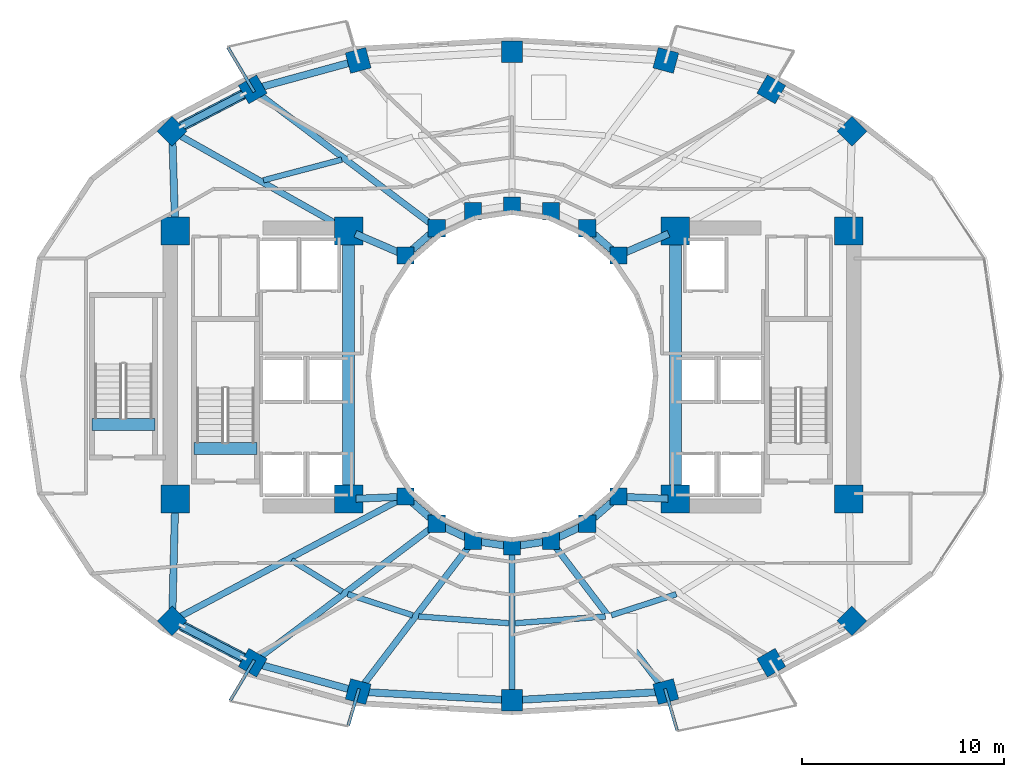
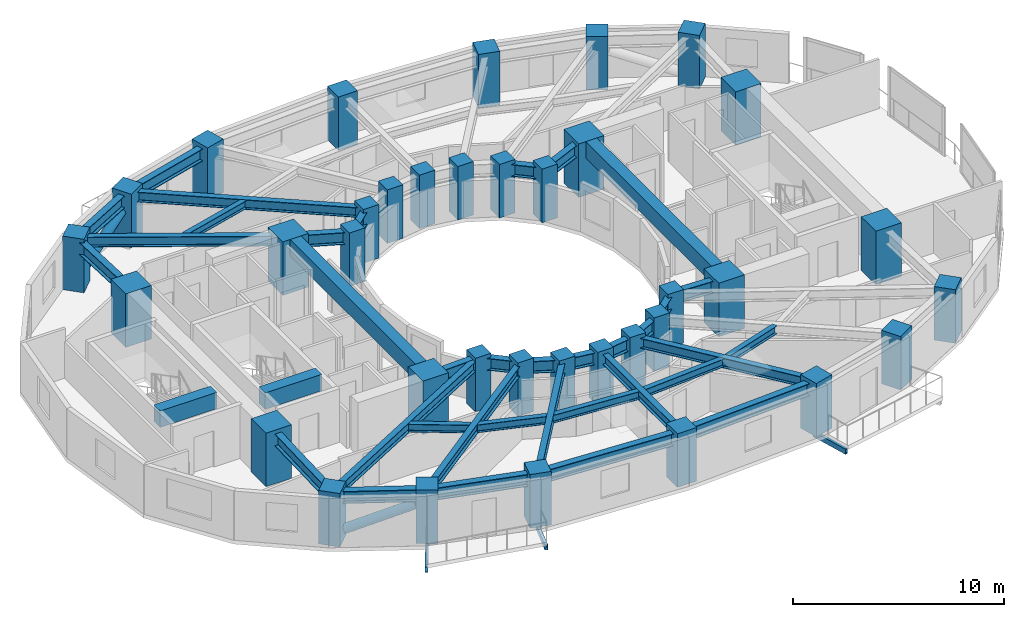
# One storey, part 1 of 14: 41 beams, 36 columns, 2 members.
"""IFC4 building model written with IfcOpenShell, lengths in metres."""

from ifc_helpers import new_model, si_unit, direction, frame, origin, origin_2d, place, context, subcontext, project, spatial, rectangle, hollow_rectangle, hollow_circle, i_section, extrude, material, material_profile, profile_set, type_object, element, save


model = new_model("IFC4")

# Units and contexts
model_context = context("Model", 3, precision=1e-05, world=origin(), true_north=direction((0.0, 1.0)))
body_context = subcontext(model_context, "Body", "Model", "MODEL_VIEW")
ifc_project = project(units=[si_unit("LENGTHUNIT", "METRE"), si_unit("AREAUNIT", "SQUARE_METRE"), si_unit("VOLUMEUNIT", "CUBIC_METRE"), si_unit("PLANEANGLEUNIT", "RADIAN"), si_unit("MASSUNIT", "GRAM", prefix="KILO")], contexts=[model_context])

# Site, building, storey
site_placement = place(None, origin())
site = spatial("IfcSite", under=ifc_project, at=site_placement, CompositionType="ELEMENT")
building_placement = place(site_placement, origin())
building = spatial("IfcBuilding", under=site, at=building_placement, Name="Solvane Sanctuary Tower", CompositionType="ELEMENT")
storey_placement = place(building_placement, frame((0.0, 0.0, 88.699951171875)))
storey = spatial("IfcBuildingStorey", under=building, at=storey_placement, Name="L26", CompositionType="ELEMENT", Elevation=88.699951171875)

# Columns
ifc_material_1 = material(Name="Concrete C70/85", Category="concrete")
ifc_material_profile_1 = material_profile(ifc_material_1, rectangle(XDim=1.39990234375, YDim=1.39990234375, at=origin_2d()), Name="RC1400X1400")
ifc_profile_set_1 = profile_set([ifc_material_profile_1], Name="Concrete C70/85")
column_type_1 = type_object("IfcColumnType", Name="Column C-POD-INT RC1400X1400", PredefinedType="COLUMN", material=ifc_profile_set_1)
for number, where, z_axis, x_axis, name in (
    (1, (15.300048828125, 16.89990234375, 0.0), (0.0, 0.0, 1.0), (1.0, 0.0, 0.0), "L26 Core Corner Column CW1"),
    (2, (23.89990234375, 16.89990234375, 0.0), (0.0, 0.0, 1.0), (1.0, 0.0, 0.0), "L26 Core Corner Column CW2"),
    (3, (23.89990234375, 30.199951171875, 0.0), (0.0, 0.0, 1.0), (1.0, 0.0, 0.0), "L26 Core Corner Column CW3"),
    (4, (15.300048828125, 30.199951171875, 0.0), (0.0, 0.0, 1.0), (1.0, 0.0, 0.0), "L26 Core Corner Column CW4"),
    (5, (40.10009765625, 16.89990234375, 0.0), (0.0, 0.0, 1.0), (1.0, 0.0, 0.0), "L26 Core Corner Column CE1"),
    (6, (48.699951171875, 16.89990234375, 0.0), (0.0, 0.0, 1.0), (1.0, 0.0, 0.0), "L26 Core Corner Column CE2"),
    (7, (48.699951171875, 30.199951171875, 0.0), (0.0, 0.0, 1.0), (1.0, 0.0, 0.0), "L26 Core Corner Column CE3"),
    (8, (40.10009765625, 30.199951171875, 0.0), (0.0, 0.0, 1.0), (1.0, 0.0, 0.0), "L26 Core Corner Column CE4"),
):
    element("IfcColumn", number, at=place(storey_placement, frame(where, z_axis=z_axis, x_axis=x_axis)), inside=storey, type_object=column_type_1, Name=name, PredefinedType="COLUMN", context=body_context, shape_type="SweptSolid", body=[
        extrude(rectangle(XDim=1.39990234375, YDim=1.39990234375, at=origin_2d()), origin(), (0.0, 0.0, 1.0), 3.10009765625),
    ])
ifc_material_2 = material(Name="Concrete C60/75", Category="concrete")
ifc_material_profile_2 = material_profile(ifc_material_2, rectangle(XDim=0.85009765625, YDim=0.85009765625, at=origin_2d()), Name="RC850X850")
ifc_profile_set_2 = profile_set([ifc_material_profile_2], Name="Concrete C60/75")
column_type_2 = type_object("IfcColumnType", Name="Column C-RING-Z2 RC850X850", PredefinedType="COLUMN", material=ifc_profile_set_2)
for number, where, z_axis, x_axis, name in (
    (9, (37.27490234375, 28.982177734375, 0.0), (0.0, 0.0, 1.0), (1.0, 0.0, 0.0), "L26 Inner Light-Well Ring Column IC01"),
    (10, (35.72998046875, 30.32666015625, 0.0), (0.0, 0.0, 1.0), (1.0, 0.0, 0.0), "L26 Inner Light-Well Ring Column IC02"),
    (11, (33.930908203125, 31.171630859375, 0.0), (0.0, 0.0, 1.0), (1.0, 0.0, 0.0), "L26 Inner Light-Well Ring Column IC03"),
    (12, (32.0, 31.4599609375, 0.0), (0.0, 0.0, 1.0), (1.0, 0.0, 0.0), "L26 Inner Light-Well Ring Column IC04"),
    (13, (30.069091796875, 31.171630859375, 0.0), (0.0, 0.0, 1.0), (1.0, 0.0, 0.0), "L26 Inner Light-Well Ring Column IC05"),
    (14, (28.27001953125, 30.32666015625, 0.0), (0.0, 0.0, 1.0), (1.0, 0.0, 0.0), "L26 Inner Light-Well Ring Column IC06"),
    (15, (26.72509765625, 28.982177734375, 0.0), (0.0, 0.0, 1.0), (1.0, 0.0, 0.0), "L26 Inner Light-Well Ring Column IC07"),
    (16, (26.72509765625, 17.017822265625, 0.0), (0.0, 0.0, 1.0), (1.0, 0.0, 0.0), "L26 Inner Light-Well Ring Column IC08"),
    (17, (28.27001953125, 15.67333984375, 0.0), (0.0, 0.0, 1.0), (1.0, 0.0, 0.0), "L26 Inner Light-Well Ring Column IC09"),
    (18, (30.069091796875, 14.828369140625, 0.0), (0.0, 0.0, 1.0), (1.0, 0.0, 0.0), "L26 Inner Light-Well Ring Column IC10"),
    (19, (32.0, 14.5400390625, 0.0), (0.0, 0.0, 1.0), (1.0, 0.0, 0.0), "L26 Inner Light-Well Ring Column IC11"),
    (20, (33.930908203125, 14.828369140625, 0.0), (0.0, 0.0, 1.0), (1.0, 0.0, 0.0), "L26 Inner Light-Well Ring Column IC12"),
    (21, (35.72998046875, 15.67333984375, 0.0), (0.0, 0.0, 1.0), (1.0, 0.0, 0.0), "L26 Inner Light-Well Ring Column IC13"),
    (22, (37.27490234375, 17.017822265625, 0.0), (0.0, 0.0, 1.0), (1.0, 0.0, 0.0), "L26 Inner Light-Well Ring Column IC14"),
):
    element("IfcColumn", number, at=place(storey_placement, frame(where, z_axis=z_axis, x_axis=x_axis)), inside=storey, type_object=column_type_2, Name=name, PredefinedType="COLUMN", context=body_context, shape_type="SweptSolid", body=[
        extrude(rectangle(XDim=0.85009765625, YDim=0.85009765625, at=origin_2d()), origin(), (0.0, 0.0, 1.0), 3.10009765625),
    ])
ifc_material_profile_3 = material_profile(ifc_material_2, rectangle(XDim=1.050048828125, YDim=1.050048828125, at=origin_2d()), Name="RC1050X1050")
ifc_profile_set_3 = profile_set([ifc_material_profile_3], Name="Concrete C60/75")
column_type_3 = type_object("IfcColumnType", Name="Column C-TUBE-Z2 RC1050X1050", PredefinedType="COLUMN", material=ifc_profile_set_3)
for number, where, z_axis, x_axis, name in (
    (23, (48.85302734375, 35.13818359375, 0.0), (0.0, 0.0, 1.0), (0.707106781187, 0.707106781187, 0.0), "L26 Perimeter Tube Column TC01"),
    (24, (44.8583984375, 37.217529296875, 0.0), (0.0, 0.0, 1.0), (0.5, 0.866025403784, 0.0), "L26 Perimeter Tube Column TC02"),
    (25, (39.62939453125, 38.652099609375, 0.0), (0.0, 0.0, 1.0), (0.258819045103, 0.965925826289, 0.0), "L26 Perimeter Tube Column TC03"),
    (26, (32.0, 39.080078125, 0.0), (0.0, 0.0, 1.0), (0.0, 1.0, 0.0), "L26 Perimeter Tube Column TC04"),
    (27, (24.37060546875, 38.652099609375, 0.0), (0.0, 0.0, 1.0), (-0.258819045103, 0.965925826289, 0.0), "L26 Perimeter Tube Column TC05"),
    (28, (19.1416015625, 37.217529296875, 0.0), (0.0, 0.0, 1.0), (-0.5, 0.866025403784, 0.0), "L26 Perimeter Tube Column TC06"),
    (29, (15.14697265625, 35.13818359375, 0.0), (0.0, 0.0, 1.0), (-0.707106781187, 0.707106781187, 0.0), "L26 Perimeter Tube Column TC07"),
    (30, (15.14697265625, 10.86181640625, 0.0), (0.0, 0.0, 1.0), (-0.707106781187, -0.707106781187, 0.0), "L26 Perimeter Tube Column TC08"),
    (31, (19.1416015625, 8.782470703125, 0.0), (0.0, 0.0, 1.0), (-0.5, -0.866025403784, 0.0), "L26 Perimeter Tube Column TC09"),
    (32, (24.37060546875, 7.347900390625, 0.0), (0.0, 0.0, 1.0), (-0.258819045103, -0.965925826289, 0.0), "L26 Perimeter Tube Column TC10"),
    (33, (32.0, 6.919921875, 0.0), (0.0, 0.0, 1.0), (0.0, -1.0, 0.0), "L26 Perimeter Tube Column TC11"),
    (34, (39.62939453125, 7.347900390625, 0.0), (0.0, 0.0, 1.0), (0.258819045103, -0.965925826289, 0.0), "L26 Perimeter Tube Column TC12"),
    (35, (44.8583984375, 8.782470703125, 0.0), (0.0, 0.0, 1.0), (0.5, -0.866025403784, 0.0), "L26 Perimeter Tube Column TC13"),
    (36, (48.85302734375, 10.86181640625, 0.0), (0.0, 0.0, 1.0), (0.707106781187, -0.707106781187, 0.0), "L26 Perimeter Tube Column TC14"),
):
    element("IfcColumn", number, at=place(storey_placement, frame(where, z_axis=z_axis, x_axis=x_axis)), inside=storey, type_object=column_type_3, Name=name, PredefinedType="COLUMN", context=body_context, shape_type="SweptSolid", body=[
        extrude(rectangle(XDim=1.050048828125, YDim=1.050048828125, at=origin_2d()), origin(), (0.0, 0.0, 1.0), 3.10009765625),
    ])

# Beams
ifc_material_3 = material(Name="Steel ASTM A500 Grade C", Category="steel")
ifc_material_profile_4 = material_profile(ifc_material_3, hollow_rectangle(XDim=0.14990234375, YDim=0.300048828125, WallThickness=0.010009765625, at=origin_2d()), Name="HSS300X150X10")
ifc_profile_set_4 = profile_set([ifc_material_profile_4], Name="Steel ASTM A500 Grade C")
beam_type_1 = type_object("IfcBeamType", Name="Beam B-BALC-BRK HSS300X150X10", PredefinedType="BEAM", material=ifc_profile_set_4)
beam_1_placement = place(storey_placement, frame((19.21826171875, 37.08837890625, -0.3720703125), z_axis=(-0.510206685966, 0.860051822622, 0.0), x_axis=(-0.860051822622, -0.510206685966, 0.0)))
element("IfcBeam", 37, at=beam_1_placement, inside=storey, type_object=beam_type_1, Name="L26 Balcony Bracket N2-2", PredefinedType="BEAM", context=body_context, shape_type="SweptSolid", body=[
    extrude(hollow_rectangle(XDim=0.14990234375, YDim=0.300048828125, WallThickness=0.010009765625, at=origin_2d()), origin(), (0.0, 0.0, 1.0), 2.5654296875),
])
beam_2_placement = place(storey_placement, frame((19.218505859375, 8.911376953125, -0.3720703125), z_axis=(-0.511310271228, -0.859396187179, 0.0), x_axis=(0.859396187179, -0.511310271228, 0.0)))
element("IfcBeam", 38, at=beam_2_placement, inside=storey, type_object=beam_type_1, Name="L26 Balcony Bracket S1-1", PredefinedType="BEAM", context=body_context, shape_type="SweptSolid", body=[
    extrude(hollow_rectangle(XDim=0.14990234375, YDim=0.300048828125, WallThickness=0.010009765625, at=origin_2d()), origin(), (0.0, 0.0, 1.0), 2.324462890625),
])
beam_3_placement = place(storey_placement, frame((24.412841796875, 7.49169921875, -0.3720703125), z_axis=(-0.281748382334, -0.959488326689, 0.0), x_axis=(0.959488326689, -0.281748382334, 0.0)))
element("IfcBeam", 39, at=beam_3_placement, inside=storey, type_object=beam_type_1, Name="L26 Balcony Bracket S1-2", PredefinedType="BEAM", context=body_context, shape_type="SweptSolid", body=[
    extrude(hollow_rectangle(XDim=0.14990234375, YDim=0.300048828125, WallThickness=0.010009765625, at=origin_2d()), origin(), (0.0, 0.0, 1.0), 1.897705078125),
])
beam_4_placement = place(storey_placement, frame((39.58740234375, 7.491943359375, -0.3720703125), z_axis=(0.279241508215, -0.960220901715, 0.0), x_axis=(0.960220901715, 0.279241508215, 0.0)))
element("IfcBeam", 40, at=beam_4_placement, inside=storey, type_object=beam_type_1, Name="L26 Balcony Bracket S2-1", PredefinedType="BEAM", context=body_context, shape_type="SweptSolid", body=[
    extrude(hollow_rectangle(XDim=0.14990234375, YDim=0.300048828125, WallThickness=0.010009765625, at=origin_2d()), origin(), (0.0, 0.0, 1.0), 2.138427734375),
])
ifc_material_profile_5 = material_profile(ifc_material_1, rectangle(XDim=0.60009765625, YDim=0.949951171875, at=origin_2d()), Name="RC600X950")
ifc_profile_set_5 = profile_set([ifc_material_profile_5], Name="Concrete C70/85")
beam_type_2 = type_object("IfcBeamType", Name="Beam B-COUPLE RC600X950", PredefinedType="LINTEL", material=ifc_profile_set_5)
for number, where, z_axis, x_axis, name in (
    (41, (23.89990234375, 17.35009765625, 2.625), (0.0, 1.0, 0.0), (-1.0, 0.0, 0.0), "L26 West Core Coupling Lintel"),
    (42, (40.10009765625, 17.35009765625, 2.625), (0.0, 1.0, 0.0), (-1.0, 0.0, 0.0), "L26 East Core Coupling Lintel"),
):
    element("IfcBeam", number, at=place(storey_placement, frame(where, z_axis=z_axis, x_axis=x_axis)), inside=storey, type_object=beam_type_2, Name=name, PredefinedType="LINTEL", context=body_context, shape_type="SweptSolid", body=[
        extrude(rectangle(XDim=0.60009765625, YDim=0.949951171875, at=origin_2d()), origin(), (0.0, 0.0, 1.0), 12.39990234375),
    ])
for number, where, z_axis, x_axis, name in (
    (43, (16.22998046875, 19.399169921875, 2.625), (1.0, 0.0, 0.0), (0.0, 1.0, 0.0), "L26 ST-1 Stair Floor Landing Trimmer"),
    (44, (11.169921875, 20.59912109375, 2.625), (1.0, 0.0, 0.0), (0.0, 1.0, 0.0), "L26 ST-3 Stair Floor Landing Trimmer"),
):
    element("IfcBeam", number, at=place(storey_placement, frame(where, z_axis=z_axis, x_axis=x_axis)), inside=storey, type_object=beam_type_2, Name=name, PredefinedType="LINTEL", context=body_context, shape_type="SweptSolid", body=[
        extrude(rectangle(XDim=0.60009765625, YDim=0.949951171875, at=origin_2d()), origin(), (0.0, 0.0, 1.0), 3.1201171875),
    ])
ifc_material_4 = material(Name="Steel ASTM A992 Grade 50", Category="steel")
ifc_material_profile_6 = material_profile(ifc_material_4, i_section(OverallWidth=0.31494140625, OverallDepth=0.575927734375, WebThickness=0.01513671875, FlangeThickness=0.0244140625, FilletRadius=0.014892578125, at=origin_2d()), Name="W21X122")
ifc_profile_set_6 = profile_set([ifc_material_profile_6], Name="Steel ASTM A992 Grade 50")
beam_type_3 = type_object("IfcBeamType", Name="Beam B-RAD-Z2 W21X122", PredefinedType="BEAM", material=ifc_profile_set_6)
beam_5_placement = place(storey_placement, frame((28.04638671875, 30.495361328125, 2.590087890625), z_axis=(-0.798116040134, 0.602503764703, 0.0), x_axis=(-0.602503764703, -0.798116040134, 0.0)))
element("IfcBeam", 45, at=beam_5_placement, inside=storey, type_object=beam_type_3, Name="L26 Radial Composite Floor Beam 06", PredefinedType="BEAM", context=body_context, shape_type="SweptSolid", body=[
    extrude(i_section(OverallWidth=0.31494140625, OverallDepth=0.575927734375, WebThickness=0.01513671875, FlangeThickness=0.0244140625, FilletRadius=0.014892578125, at=origin_2d()), origin(), (0.0, 0.0, 1.0), 10.876953125),
])
beam_6_placement = place(storey_placement, frame((23.58642578125, 30.376953125, 2.590087890625), z_axis=(-0.870960247151, 0.491353485673, 0.0), x_axis=(-0.491353485673, -0.870960247151, 0.0)))
element("IfcBeam", 46, at=beam_6_placement, inside=storey, type_object=beam_type_3, Name="L26 Radial Composite Floor Beam 07", PredefinedType="BEAM", context=body_context, shape_type="SweptSolid", body=[
    extrude(i_section(OverallWidth=0.31494140625, OverallDepth=0.575927734375, WebThickness=0.01513671875, FlangeThickness=0.0244140625, FilletRadius=0.014892578125, at=origin_2d()), origin(), (0.0, 0.0, 1.0), 9.409912109375),
])
beam_7_placement = place(storey_placement, frame((26.477783203125, 16.886474609375, 2.590087890625), z_axis=(-0.882951984843, -0.469463302572, 0.0), x_axis=(0.469463302572, -0.882951984843, 0.0)))
element("IfcBeam", 47, at=beam_7_placement, inside=storey, type_object=beam_type_3, Name="L26 Radial Composite Floor Beam 08", PredefinedType="BEAM", context=body_context, shape_type="SweptSolid", body=[
    extrude(i_section(OverallWidth=0.31494140625, OverallDepth=0.575927734375, WebThickness=0.01513671875, FlangeThickness=0.0244140625, FilletRadius=0.014892578125, at=origin_2d()), origin(), (0.0, 0.0, 1.0), 12.552734375),
])
beam_8_placement = place(storey_placement, frame((28.04638671875, 15.504638671875, 2.590087890625), z_axis=(-0.798116040134, -0.602503764703, 0.0), x_axis=(0.602503764703, -0.798116040134, 0.0)))
element("IfcBeam", 48, at=beam_8_placement, inside=storey, type_object=beam_type_3, Name="L26 Radial Composite Floor Beam 09", PredefinedType="BEAM", context=body_context, shape_type="SweptSolid", body=[
    extrude(i_section(OverallWidth=0.31494140625, OverallDepth=0.575927734375, WebThickness=0.01513671875, FlangeThickness=0.0244140625, FilletRadius=0.014892578125, at=origin_2d()), origin(), (0.0, 0.0, 1.0), 10.876953125),
])
beam_9_placement = place(storey_placement, frame((29.8994140625, 14.605712890625, 2.590087890625), z_axis=(-0.605972515369, -0.795485581653, 0.0), x_axis=(0.795485581653, -0.605972515369, 0.0)))
element("IfcBeam", 49, at=beam_9_placement, inside=storey, type_object=beam_type_3, Name="L26 Radial Composite Floor Beam 10", PredefinedType="BEAM", context=body_context, shape_type="SweptSolid", body=[
    extrude(i_section(OverallWidth=0.31494140625, OverallDepth=0.575927734375, WebThickness=0.01513671875, FlangeThickness=0.0244140625, FilletRadius=0.014892578125, at=origin_2d()), origin(), (0.0, 0.0, 1.0), 8.84375),
])
beam_10_placement = place(storey_placement, frame((32.0, 14.260009765625, 2.590087890625), z_axis=(0.0, -1.0, 0.0), x_axis=(1.0, 0.0, 0.0)))
element("IfcBeam", 50, at=beam_10_placement, inside=storey, type_object=beam_type_3, Name="L26 Radial Composite Floor Beam 11", PredefinedType="BEAM", context=body_context, shape_type="SweptSolid", body=[
    extrude(i_section(OverallWidth=0.31494140625, OverallDepth=0.575927734375, WebThickness=0.01513671875, FlangeThickness=0.0244140625, FilletRadius=0.014892578125, at=origin_2d()), origin(), (0.0, 0.0, 1.0), 7.06005859375),
])
beam_11_placement = place(storey_placement, frame((34.1005859375, 14.605712890625, 2.590087890625), z_axis=(0.605972515369, -0.795485581653, 0.0), x_axis=(0.795485581653, 0.605972515369, 0.0)))
element("IfcBeam", 51, at=beam_11_placement, inside=storey, type_object=beam_type_3, Name="L26 Radial Composite Floor Beam 12", PredefinedType="BEAM", context=body_context, shape_type="SweptSolid", body=[
    extrude(i_section(OverallWidth=0.31494140625, OverallDepth=0.575927734375, WebThickness=0.01513671875, FlangeThickness=0.0244140625, FilletRadius=0.014892578125, at=origin_2d()), origin(), (0.0, 0.0, 1.0), 8.84375),
])
ifc_material_profile_7 = material_profile(ifc_material_4, i_section(OverallWidth=0.35498046875, OverallDepth=0.695068359375, WebThickness=0.015380859375, FlangeThickness=0.02490234375, FilletRadius=0.01806640625, at=origin_2d()), Name="W27X146")
ifc_profile_set_7 = profile_set([ifc_material_profile_7], Name="Steel ASTM A992 Grade 50")
beam_type_4 = type_object("IfcBeamType", Name="Beam B-RING-IN1 W27X146", PredefinedType="BEAM", material=ifc_profile_set_7)
beam_12_placement = place(storey_placement, frame((24.230712890625, 30.0576171875, 2.530517578125), z_axis=(0.918261456479, -0.3959746173, 0.0), x_axis=(0.3959746173, 0.918261456479, 0.0)))
element("IfcBeam", 52, at=beam_12_placement, inside=storey, type_object=beam_type_4, Name="L26 Inner Light-Well Ring Beam CW3-IC07", PredefinedType="BEAM", context=body_context, shape_type="SweptSolid", body=[
    extrude(i_section(OverallWidth=0.35498046875, OverallDepth=0.695068359375, WebThickness=0.015380859375, FlangeThickness=0.02490234375, FilletRadius=0.01806640625, at=origin_2d()), origin(), (0.0, 0.0, 1.0), 2.3212890625),
])
for number, where, z_axis, x_axis, name in (
    (53, (27.02294921875, 29.241455078125, 2.530517578125), (0.754317177099, 0.656510164684, 0.0), (-0.656510164684, 0.754317177099, 0.0), "L26 Inner Light-Well Ring Beam IC07-IC06"),
    (54, (36.028076171875, 30.0673828125, 2.530517578125), (0.754317177099, -0.656510164684, 0.0), (0.656510164684, 0.754317177099, 0.0), "L26 Inner Light-Well Ring Beam IC02-IC01"),
):
    element("IfcBeam", number, at=place(storey_placement, frame(where, z_axis=z_axis, x_axis=x_axis)), inside=storey, type_object=beam_type_4, Name=name, PredefinedType="BEAM", context=body_context, shape_type="SweptSolid", body=[
        extrude(i_section(OverallWidth=0.35498046875, OverallDepth=0.695068359375, WebThickness=0.015380859375, FlangeThickness=0.02490234375, FilletRadius=0.01806640625, at=origin_2d()), origin(), (0.0, 0.0, 1.0), 1.258056640625),
    ])
beam_13_placement = place(storey_placement, frame((37.6376953125, 29.138427734375, 2.530517578125), z_axis=(0.918261456479, 0.3959746173, 0.0), x_axis=(-0.3959746173, 0.918261456479, 0.0)))
element("IfcBeam", 55, at=beam_13_placement, inside=storey, type_object=beam_type_4, Name="L26 Inner Light-Well Ring Beam IC01-CE4", PredefinedType="BEAM", context=body_context, shape_type="SweptSolid", body=[
    extrude(i_section(OverallWidth=0.35498046875, OverallDepth=0.695068359375, WebThickness=0.015380859375, FlangeThickness=0.02490234375, FilletRadius=0.01806640625, at=origin_2d()), origin(), (0.0, 0.0, 1.0), 2.3212890625),
])
beam_14_placement = place(storey_placement, frame((24.259765625, 16.9150390625, 2.530517578125), z_axis=(0.999130007788, 0.041704047018, 0.0), x_axis=(-0.041704047018, 0.999130007788, 0.0)))
element("IfcBeam", 56, at=beam_14_placement, inside=storey, type_object=beam_type_4, Name="L26 Inner Light-Well Ring Beam CW2-IC08", PredefinedType="BEAM", context=body_context, shape_type="SweptSolid", body=[
    extrude(i_section(OverallWidth=0.35498046875, OverallDepth=0.695068359375, WebThickness=0.015380859375, FlangeThickness=0.02490234375, FilletRadius=0.01806640625, at=origin_2d()), origin(), (0.0, 0.0, 1.0), 2.072265625),
])
beam_15_placement = place(storey_placement, frame((27.02294921875, 16.758544921875, 2.530517578125), z_axis=(0.754317177099, -0.656510164684, 0.0), x_axis=(0.656510164684, 0.754317177099, 0.0)))
element("IfcBeam", 57, at=beam_15_placement, inside=storey, type_object=beam_type_4, Name="L26 Inner Light-Well Ring Beam IC08-IC09", PredefinedType="BEAM", context=body_context, shape_type="SweptSolid", body=[
    extrude(i_section(OverallWidth=0.35498046875, OverallDepth=0.695068359375, WebThickness=0.015380859375, FlangeThickness=0.02490234375, FilletRadius=0.01806640625, at=origin_2d()), origin(), (0.0, 0.0, 1.0), 1.258056640625),
])
beam_16_placement = place(storey_placement, frame((28.62744140625, 15.505615234375, 2.530517578125), z_axis=(0.905044882818, -0.425316070804, 0.0), x_axis=(0.425316070804, 0.905044882818, 0.0)))
element("IfcBeam", 58, at=beam_16_placement, inside=storey, type_object=beam_type_4, Name="L26 Inner Light-Well Ring Beam IC09-IC10", PredefinedType="BEAM", context=body_context, shape_type="SweptSolid", body=[
    extrude(i_section(OverallWidth=0.35498046875, OverallDepth=0.695068359375, WebThickness=0.015380859375, FlangeThickness=0.02490234375, FilletRadius=0.01806640625, at=origin_2d()), origin(), (0.0, 0.0, 1.0), 1.197998046875),
])
for number, where, z_axis, x_axis, name in (
    (59, (30.4599609375, 14.77001953125, 2.530517578125), (0.989034751611, -0.147682971619, 0.0), (0.147682971619, 0.989034751611, 0.0), "L26 Inner Light-Well Ring Beam IC10-IC11"),
    (60, (32.390625, 14.598388671875, 2.530517578125), (0.989034751611, 0.147682971619, 0.0), (-0.147682971619, 0.989034751611, 0.0), "L26 Inner Light-Well Ring Beam IC11-IC12"),
):
    element("IfcBeam", number, at=place(storey_placement, frame(where, z_axis=z_axis, x_axis=x_axis)), inside=storey, type_object=beam_type_4, Name=name, PredefinedType="BEAM", context=body_context, shape_type="SweptSolid", body=[
        extrude(i_section(OverallWidth=0.35498046875, OverallDepth=0.695068359375, WebThickness=0.015380859375, FlangeThickness=0.02490234375, FilletRadius=0.01806640625, at=origin_2d()), origin(), (0.0, 0.0, 1.0), 1.162109375),
    ])
beam_17_placement = place(storey_placement, frame((34.288330078125, 14.99609375, 2.530517578125), z_axis=(0.905044882818, 0.425316070804, 0.0), x_axis=(-0.425316070804, 0.905044882818, 0.0)))
element("IfcBeam", 61, at=beam_17_placement, inside=storey, type_object=beam_type_4, Name="L26 Inner Light-Well Ring Beam IC12-IC13", PredefinedType="BEAM", context=body_context, shape_type="SweptSolid", body=[
    extrude(i_section(OverallWidth=0.35498046875, OverallDepth=0.695068359375, WebThickness=0.015380859375, FlangeThickness=0.02490234375, FilletRadius=0.01806640625, at=origin_2d()), origin(), (0.0, 0.0, 1.0), 1.197998046875),
])
beam_18_placement = place(storey_placement, frame((36.028076171875, 15.9326171875, 2.530517578125), z_axis=(0.754317177099, 0.656510164684, 0.0), x_axis=(-0.656510164684, 0.754317177099, 0.0)))
element("IfcBeam", 62, at=beam_18_placement, inside=storey, type_object=beam_type_4, Name="L26 Inner Light-Well Ring Beam IC13-IC14", PredefinedType="BEAM", context=body_context, shape_type="SweptSolid", body=[
    extrude(i_section(OverallWidth=0.35498046875, OverallDepth=0.695068359375, WebThickness=0.015380859375, FlangeThickness=0.02490234375, FilletRadius=0.01806640625, at=origin_2d()), origin(), (0.0, 0.0, 1.0), 1.258056640625),
])
beam_19_placement = place(storey_placement, frame((37.669677734375, 17.00146484375, 2.530517578125), z_axis=(0.999130007788, -0.041704047018, 0.0), x_axis=(0.041704047018, 0.999130007788, 0.0)))
element("IfcBeam", 63, at=beam_19_placement, inside=storey, type_object=beam_type_4, Name="L26 Inner Light-Well Ring Beam IC14-CE1", PredefinedType="BEAM", context=body_context, shape_type="SweptSolid", body=[
    extrude(i_section(OverallWidth=0.35498046875, OverallDepth=0.695068359375, WebThickness=0.015380859375, FlangeThickness=0.02490234375, FilletRadius=0.01806640625, at=origin_2d()), origin(), (0.0, 0.0, 1.0), 2.072265625),
])
ifc_material_profile_8 = material_profile(ifc_material_4, i_section(OverallWidth=0.280029296875, OverallDepth=0.462890625, WebThickness=0.0107421875, FlangeThickness=0.017333984375, FilletRadius=0.013916015625, at=origin_2d()), Name="W18X76")
ifc_profile_set_8 = profile_set([ifc_material_profile_8], Name="Steel ASTM A992 Grade 50")
beam_type_5 = type_object("IfcBeamType", Name="Beam B-SEC-JOIST W18X76", PredefinedType="JOIST", material=ifc_profile_set_8)
beam_20_placement = place(storey_placement, frame((19.6708984375, 32.7080078125, 2.646484375), z_axis=(0.966943832831, 0.2549894589, 0.0), x_axis=(-0.2549894589, 0.966943832831, 0.0)))
element("IfcBeam", 64, at=beam_20_placement, inside=storey, type_object=beam_type_5, Name="L26 Secondary Circumferential Joist 07-06", PredefinedType="JOIST", context=body_context, shape_type="SweptSolid", body=[
    extrude(i_section(OverallWidth=0.280029296875, OverallDepth=0.462890625, WebThickness=0.0107421875, FlangeThickness=0.017333984375, FilletRadius=0.013916015625, at=origin_2d()), origin(), (0.0, 0.0, 1.0), 4.020263671875),
])
beam_21_placement = place(storey_placement, frame((21.065673828125, 13.859619140625, 2.646484375), z_axis=(0.85065981691, -0.525716535687, 0.0), x_axis=(0.525716535687, 0.85065981691, 0.0)))
element("IfcBeam", 65, at=beam_21_placement, inside=storey, type_object=beam_type_5, Name="L26 Secondary Circumferential Joist 08-09", PredefinedType="JOIST", context=body_context, shape_type="SweptSolid", body=[
    extrude(i_section(OverallWidth=0.280029296875, OverallDepth=0.462890625, WebThickness=0.0107421875, FlangeThickness=0.017333984375, FilletRadius=0.013916015625, at=origin_2d()), origin(), (0.0, 0.0, 1.0), 2.951171875),
])
beam_22_placement = place(storey_placement, frame((23.850830078125, 12.180908203125, 2.646484375), z_axis=(0.951216534175, -0.308524075416, 0.0), x_axis=(0.308524075416, 0.951216534175, 0.0)))
element("IfcBeam", 66, at=beam_22_placement, inside=storey, type_object=beam_type_5, Name="L26 Secondary Circumferential Joist 09-10", PredefinedType="JOIST", context=body_context, shape_type="SweptSolid", body=[
    extrude(i_section(OverallWidth=0.280029296875, OverallDepth=0.462890625, WebThickness=0.0107421875, FlangeThickness=0.017333984375, FilletRadius=0.013916015625, at=origin_2d()), origin(), (0.0, 0.0, 1.0), 3.38916015625),
])
for number, where, z_axis, x_axis, name in (
    (67, (27.3720703125, 11.07666015625, 2.646484375), (0.997207316227, -0.074683120339, 0.0), (0.074683120339, 0.997207316227, 0.0), "L26 Secondary Circumferential Joist 10-11"),
    (68, (32.152099609375, 10.741455078125, 2.646484375), (0.997207316227, 0.074683120339, 0.0), (-0.074683120339, 0.997207316227, 0.0), "L26 Secondary Circumferential Joist 11-12"),
):
    element("IfcBeam", number, at=place(storey_placement, frame(where, z_axis=z_axis, x_axis=x_axis)), inside=storey, type_object=beam_type_5, Name=name, PredefinedType="JOIST", context=body_context, shape_type="SweptSolid", body=[
        extrude(i_section(OverallWidth=0.280029296875, OverallDepth=0.462890625, WebThickness=0.0107421875, FlangeThickness=0.017333984375, FilletRadius=0.013916015625, at=origin_2d()), origin(), (0.0, 0.0, 1.0), 4.48828125),
    ])
beam_23_placement = place(storey_placement, frame((36.92529296875, 11.13525390625, 2.646484375), z_axis=(0.951216534175, 0.308524075416, 0.0), x_axis=(-0.308524075416, 0.951216534175, 0.0)))
element("IfcBeam", 69, at=beam_23_placement, inside=storey, type_object=beam_type_5, Name="L26 Secondary Circumferential Joist 12-13", PredefinedType="JOIST", context=body_context, shape_type="SweptSolid", body=[
    extrude(i_section(OverallWidth=0.280029296875, OverallDepth=0.462890625, WebThickness=0.0107421875, FlangeThickness=0.017333984375, FilletRadius=0.013916015625, at=origin_2d()), origin(), (0.0, 0.0, 1.0), 3.38916015625),
])
ifc_material_profile_9 = material_profile(ifc_material_4, i_section(OverallWidth=0.35791015625, OverallDepth=0.7060546875, WebThickness=0.018310546875, FlangeThickness=0.0302734375, FilletRadius=0.01806640625, at=origin_2d()), Name="W27X178")
ifc_profile_set_9 = profile_set([ifc_material_profile_9], Name="Steel ASTM A992 Grade 50")
beam_type_6 = type_object("IfcBeamType", Name="Beam B-SPAND-Z2 W27X178", PredefinedType="SPANDREL", material=ifc_profile_set_9)
beam_24_placement = place(storey_placement, frame((15.291259765625, 30.47998046875, 2.525146484375), z_axis=(-0.03093371985, 0.999521437977, 0.0), x_axis=(-0.999521437977, -0.03093371985, 0.0)))
element("IfcBeam", 70, at=beam_24_placement, inside=storey, type_object=beam_type_6, Name="L26 Perimeter Spandrel Beam CW4-TC07", PredefinedType="SPANDREL", context=body_context, shape_type="SweptSolid", body=[
    extrude(i_section(OverallWidth=0.35791015625, OverallDepth=0.7060546875, WebThickness=0.018310546875, FlangeThickness=0.0302734375, FilletRadius=0.01806640625, at=origin_2d()), origin(), (0.0, 0.0, 1.0), 4.38037109375),
])
beam_25_placement = place(storey_placement, frame((15.3955078125, 35.267333984375, 2.525146484375), z_axis=(0.887014995188, 0.461740618002, 0.0), x_axis=(-0.461740618002, 0.887014995188, 0.0)))
element("IfcBeam", 71, at=beam_25_placement, inside=storey, type_object=beam_type_6, Name="L26 Perimeter Spandrel Beam TC07-TC06", PredefinedType="SPANDREL", context=body_context, shape_type="SweptSolid", body=[
    extrude(i_section(OverallWidth=0.35791015625, OverallDepth=0.7060546875, WebThickness=0.018310546875, FlangeThickness=0.0302734375, FilletRadius=0.01806640625, at=origin_2d()), origin(), (0.0, 0.0, 1.0), 3.943359375),
])
beam_26_placement = place(storey_placement, frame((19.41162109375, 37.29150390625, 2.525146484375), z_axis=(0.964367605241, 0.26456591232, 0.0), x_axis=(-0.26456591232, 0.964367605241, 0.0)))
element("IfcBeam", 72, at=beam_26_placement, inside=storey, type_object=beam_type_6, Name="L26 Perimeter Spandrel Beam TC06-TC05", PredefinedType="SPANDREL", context=body_context, shape_type="SweptSolid", body=[
    extrude(i_section(OverallWidth=0.35791015625, OverallDepth=0.7060546875, WebThickness=0.018310546875, FlangeThickness=0.0302734375, FilletRadius=0.01806640625, at=origin_2d()), origin(), (0.0, 0.0, 1.0), 4.8623046875),
])
beam_27_placement = place(storey_placement, frame((15.29296875, 16.6201171875, 2.525146484375), z_axis=(-0.025349487585, -0.999678650107, 0.0), x_axis=(0.999678650107, -0.025349487585, 0.0)))
element("IfcBeam", 73, at=beam_27_placement, inside=storey, type_object=beam_type_6, Name="L26 Perimeter Spandrel Beam CW1-TC08", PredefinedType="SPANDREL", context=body_context, shape_type="SweptSolid", body=[
    extrude(i_section(OverallWidth=0.35791015625, OverallDepth=0.7060546875, WebThickness=0.018310546875, FlangeThickness=0.0302734375, FilletRadius=0.01806640625, at=origin_2d()), origin(), (0.0, 0.0, 1.0), 5.47998046875),
])
beam_28_placement = place(storey_placement, frame((15.3955078125, 10.732666015625, 2.525146484375), z_axis=(0.887014995188, -0.461740618002, 0.0), x_axis=(0.461740618002, 0.887014995188, 0.0)))
element("IfcBeam", 74, at=beam_28_placement, inside=storey, type_object=beam_type_6, Name="L26 Perimeter Spandrel Beam TC08-TC09", PredefinedType="SPANDREL", context=body_context, shape_type="SweptSolid", body=[
    extrude(i_section(OverallWidth=0.35791015625, OverallDepth=0.7060546875, WebThickness=0.018310546875, FlangeThickness=0.0302734375, FilletRadius=0.01806640625, at=origin_2d()), origin(), (0.0, 0.0, 1.0), 3.943359375),
])
beam_29_placement = place(storey_placement, frame((19.41162109375, 8.70849609375, 2.525146484375), z_axis=(0.964367605241, -0.26456591232, 0.0), x_axis=(0.26456591232, 0.964367605241, 0.0)))
element("IfcBeam", 75, at=beam_29_placement, inside=storey, type_object=beam_type_6, Name="L26 Perimeter Spandrel Beam TC09-TC10", PredefinedType="SPANDREL", context=body_context, shape_type="SweptSolid", body=[
    extrude(i_section(OverallWidth=0.35791015625, OverallDepth=0.7060546875, WebThickness=0.018310546875, FlangeThickness=0.0302734375, FilletRadius=0.01806640625, at=origin_2d()), origin(), (0.0, 0.0, 1.0), 4.8623046875),
])
for number, where, z_axis, x_axis, name in (
    (76, (24.650146484375, 7.332275390625, 2.525146484375), (0.998431364179, -0.055989383129, 0.0), (0.055989383129, 0.998431364179, 0.0), "L26 Perimeter Spandrel Beam TC10-TC11"),
    (77, (32.279541015625, 6.935791015625, 2.525146484375), (0.998431364179, 0.055989383129, 0.0), (-0.055989383129, 0.998431364179, 0.0), "L26 Perimeter Spandrel Beam TC11-TC12"),
):
    element("IfcBeam", number, at=place(storey_placement, frame(where, z_axis=z_axis, x_axis=x_axis)), inside=storey, type_object=beam_type_6, Name=name, PredefinedType="SPANDREL", context=body_context, shape_type="SweptSolid", body=[
        extrude(i_section(OverallWidth=0.35791015625, OverallDepth=0.7060546875, WebThickness=0.018310546875, FlangeThickness=0.0302734375, FilletRadius=0.01806640625, at=origin_2d()), origin(), (0.0, 0.0, 1.0), 7.081298828125),
    ])

# Members
ifc_material_profile_10 = material_profile(ifc_material_4, hollow_circle(Radius=0.25390625, WallThickness=0.01611328125, at=origin_2d()), Name="CHS508X16")
ifc_profile_set_10 = profile_set([ifc_material_profile_10], Name="Steel ASTM A992 Grade 50")
member_type = type_object("IfcMemberType", Name="Member M-TUBE-Z2 CHS508X16", PredefinedType="BRACE", material=ifc_profile_set_10)
for number, where, z_axis, x_axis, name in (
    (78, (15.6435546875, 35.396484375, 0.602783203125), (0.824140553465, 0.429072126665, 0.369715374651), (-0.461792399626, 0.886988038052, 0.0), "L26 Perimeter Braced-Tube Diagonal NW"),
    (79, (15.6435546875, 10.603515625, 0.602783203125), (0.824140553465, -0.429072126665, 0.369715374651), (0.461792399626, 0.886988038052, 0.0), "L26 Perimeter Braced-Tube Diagonal SW"),
):
    element("IfcMember", number, at=place(storey_placement, frame(where, z_axis=z_axis, x_axis=x_axis)), inside=storey, type_object=member_type, Name=name, PredefinedType="BRACE", context=body_context, shape_type="SweptSolid", body=[
        extrude(hollow_circle(Radius=0.25390625, WallThickness=0.01611328125, at=origin_2d()), origin(), (0.0, 0.0, 1.0), 3.6689453125),
    ])

save(model, "model.ifc")
